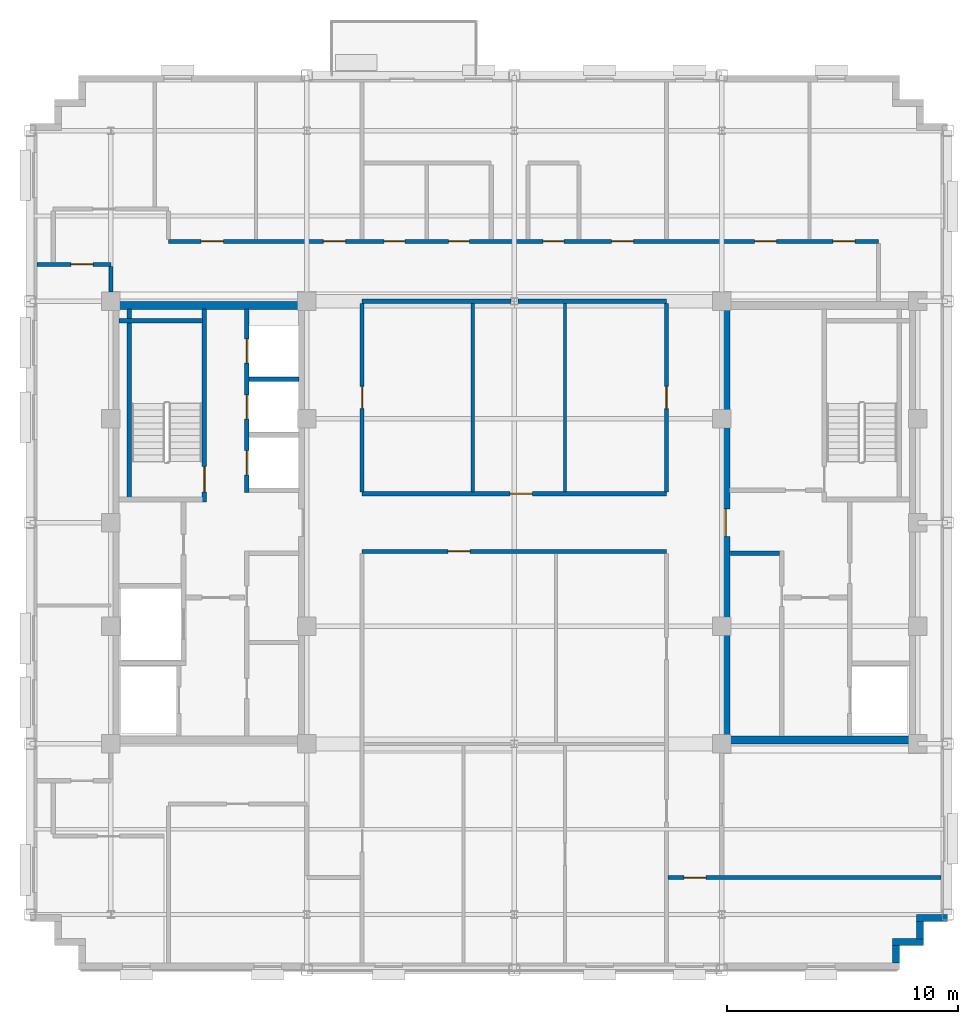
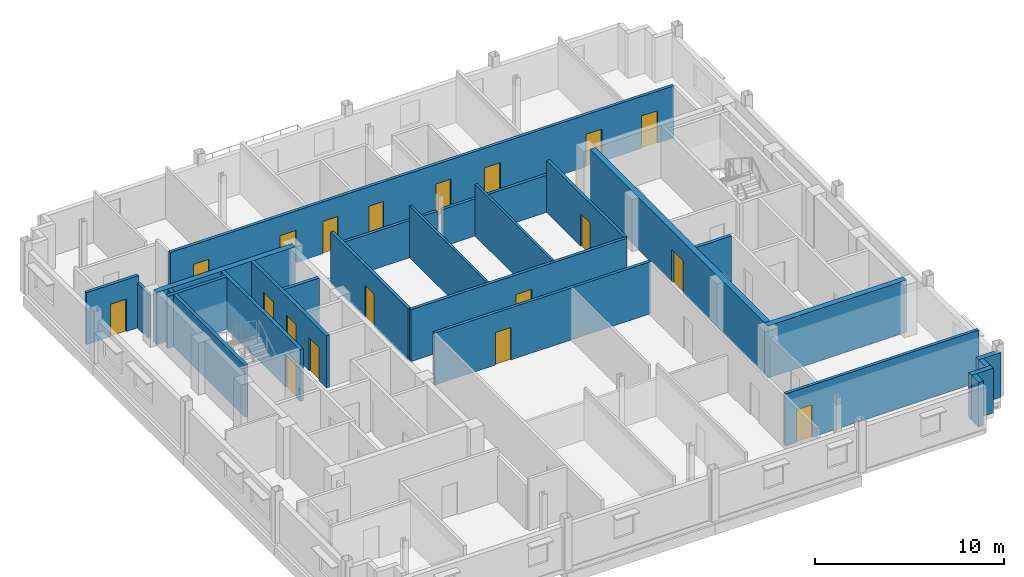
# One storey, part 7 of 14: 25 walls, 19 doors, 19 openings.
"""IFC4 building model written with IfcOpenShell, lengths in metres."""

from ifc_helpers import new_model, si_unit, direction, frame, frame_2d, origin, place, context, subcontext, project, spatial, rectangle, extrude, source, transform, mapped, material, layer, layer_set, type_object, type_shapes, element, fill, save


model = new_model("IFC4")

# Units and contexts
model_context = context("Model", 3, precision=1e-05, world=origin(), true_north=direction((0.0, 1.0)))
body_context = subcontext(model_context, "Body", "Model", "MODEL_VIEW")
ifc_project = project(units=[si_unit("LENGTHUNIT", "METRE"), si_unit("AREAUNIT", "SQUARE_METRE"), si_unit("VOLUMEUNIT", "CUBIC_METRE"), si_unit("PLANEANGLEUNIT", "RADIAN"), si_unit("MASSUNIT", "GRAM", prefix="KILO")], contexts=[model_context])

# Site, building, storey
site_placement = place(None, origin())
site = spatial("IfcSite", under=ifc_project, at=site_placement, CompositionType="ELEMENT")
building_placement = place(site_placement, origin())
building = spatial("IfcBuilding", under=site, at=building_placement, Name="Nuvemarco Arch Tower", CompositionType="ELEMENT")
storey_placement = place(building_placement, frame((0.0, 0.0, 272.550048828125)))
storey = spatial("IfcBuildingStorey", under=building, at=storey_placement, Name="L72", CompositionType="ELEMENT", Elevation=272.550048828125)

# Walls
ifc_material_1 = material(Name="Precast concrete C45/55", Category="concrete")
ifc_layer_1 = layer(ifc_material_1, 0.300048828125, Name="EW-HIGH-300")
ifc_layer_set_1 = layer_set([ifc_layer_1], Name="Precast concrete C45/55")
wall_type_1 = type_object("IfcWallType", Name="EW-HIGH-300", PredefinedType="STANDARD", material=ifc_layer_set_1)
wall_1_placement = place(storey_placement, frame((16.550048828125, -19.10400390625, 0.0), z_axis=(0.0, 0.0, 1.0), x_axis=(0.0, 1.0, 0.0)))
element("IfcWall", 1, at=wall_1_placement, inside=storey, type_object=wall_type_1, Name="L72 exterior precast facade wall 2", PredefinedType="STANDARD", context=body_context, shape_type="SweptSolid", body=[
    extrude(rectangle(XDim=0.758056640625, YDim=0.300048828125, at=frame_2d((0.37890625, 0.0))), origin(), (0.0, 0.0, 1.0), 2.891845703125),
])
wall_2_placement = place(storey_placement, frame((16.39990234375, -18.199951171875, 0.0), z_axis=(0.0, 0.0, 1.0), x_axis=(1.0, 0.0, 0.0)))
element("IfcWall", 2, at=wall_2_placement, inside=storey, type_object=wall_type_1, Name="L72 exterior precast facade wall 3", PredefinedType="STANDARD", context=body_context, shape_type="SweptSolid", body=[
    extrude(rectangle(XDim=1.35009765625, YDim=0.300048828125, at=frame_2d((0.675048828125, 0.0))), origin(), (0.0, 0.0, 1.0), 2.891845703125),
])
wall_3_placement = place(storey_placement, frame((17.60009765625, -18.053955078125, 0.0), z_axis=(0.0, 0.0, 1.0), x_axis=(0.0, 1.0, 0.0)))
element("IfcWall", 3, at=wall_3_placement, inside=storey, type_object=wall_type_1, Name="L72 exterior precast facade wall 4", PredefinedType="STANDARD", context=body_context, shape_type="SweptSolid", body=[
    extrude(rectangle(XDim=0.758056640625, YDim=0.300048828125, at=frame_2d((0.37890625, 0.0))), origin(), (0.0, 0.0, 1.0), 2.891845703125),
])
wall_4_placement = place(storey_placement, frame((17.449951171875, -17.14990234375, 0.0), z_axis=(0.0, 0.0, 1.0), x_axis=(1.0, 0.0, 0.0)))
element("IfcWall", 4, at=wall_4_placement, inside=storey, type_object=wall_type_1, Name="L72 exterior precast facade wall 5", PredefinedType="STANDARD", context=body_context, shape_type="SweptSolid", body=[
    extrude(rectangle(XDim=1.35009765625, YDim=0.300048828125, at=frame_2d((0.675048828125, 0.0))), origin(), (0.0, 0.0, 1.0), 2.891845703125),
])
ifc_material_2 = material(Name="Concrete C50/60", Category="concrete")
ifc_layer_2 = layer(ifc_material_2, 0.35009765625, Name="WL-CORE-350")
ifc_layer_set_2 = layer_set([ifc_layer_2], Name="Concrete C50/60")
wall_type_2 = type_object("IfcWallType", Name="WL-CORE-350", PredefinedType="SHEAR", material=ifc_layer_set_2)
for number, where, z_axis, x_axis, name in (
    (5, (-17.5, 9.425048828125, 0.0), (0.0, 0.0, 1.0), (1.0, 0.0, 0.0), "L72 W-core shear wall N"),
    (6, (9.0, -9.425048828125, 0.0), (0.0, 0.0, 1.0), (1.0, 0.0, 0.0), "L72 E-core shear wall S"),
):
    element("IfcWall", number, at=place(storey_placement, frame(where, z_axis=z_axis, x_axis=x_axis)), inside=storey, type_object=wall_type_2, Name=name, PredefinedType="SHEAR", context=body_context, shape_type="SweptSolid", body=[
        extrude(rectangle(XDim=8.5, YDim=0.35009765625, at=frame_2d((4.25, 0.0))), origin(), (0.0, 0.0, 1.0), 3.369873046875),
    ])

# Wall, opening, door
wall_5_placement = place(storey_placement, frame((9.175048828125, -9.2548828125, 0.0), z_axis=(0.0, 0.0, 1.0), x_axis=(0.0, 1.0, 0.0)))
wall_5 = element("IfcWall", 7, at=wall_5_placement, inside=storey, type_object=wall_type_2, Name="L72 E-core shear wall W", PredefinedType="SHEAR", context=body_context, shape_type="SweptSolid", body=[
    extrude(rectangle(XDim=18.509765625, YDim=0.35009765625, at=frame_2d((9.2548828125, 0.0))), origin(), (0.0, 0.0, 1.0), 3.369873046875),
])
opening_1_placement = place(wall_5_placement, frame((8.655029296875, 0.0, 0.0)))
opening_1 = element("IfcOpeningElement", 8, at=opening_1_placement, cuts=wall_5, Name="Opening FD-2", PredefinedType="OPENING", context=body_context, shape_type="SweptSolid", body=[
    extrude(rectangle(XDim=1.199951171875, YDim=2.14990234375, at=frame_2d((0.60009765625, 1.074951171875))), frame((0.0, 0.18505859375, 0.0), z_axis=(0.0, -1.0, 0.0), x_axis=(1.0, 0.0, 0.0)), (0.0, 0.0, 1.0), 0.3701171875),
])
ifc_material_3 = material(Name="Anodised steel fire door", Category="steel")
door_type_1 = type_object("IfcDoorType", Name="DR-FFLOB-FD", OperationType="NOTDEFINED", PredefinedType="DOOR", material=ifc_material_3)
shared_shape_1 = source(origin(), body_context, "Body", "SweptSolid", [
    extrude(rectangle(XDim=1.199951171875, YDim=2.14990234375, at=frame_2d((0.60009765625, 1.074951171875))), frame((0.0, 0.02490234375, 0.0), z_axis=(0.0, -1.0, 0.0), x_axis=(1.0, 0.0, 0.0)), (0.0, 0.0, 1.0), 0.050048828125),
])
type_shapes(door_type_1, [shared_shape_1])
door_1_placement = place(opening_1_placement, origin())
door_1 = element("IfcDoor", 9, at=door_1_placement, inside=storey, type_object=door_type_1, Name="L72 door FD-L72-ECORE-W", OperationType="SINGLE_SWING_LEFT", OverallHeight=2.14990234375, OverallWidth=1.199951171875, PredefinedType="DOOR", context=body_context, shape_type="MappedRepresentation", body=[
    mapped(shared_shape_1, transform((0.0, 0.0, 0.0), scale=1.0)),
])
fill(opening_1, door_1)

ifc_material_4 = material(Name="Fire-rated gypsum drywall partition")
ifc_layer_3 = layer(ifc_material_4, 0.179931640625, Name="WL-CORR-180")
ifc_layer_set_3 = layer_set([ifc_layer_3], Name="Fire-rated gypsum drywall partition")
wall_type_3 = type_object("IfcWallType", Name="WL-CORR-180", PredefinedType="PARTITIONING", material=ifc_layer_set_3)
wall_6_placement = place(storey_placement, frame((6.660888671875, -15.39990234375, 0.0), z_axis=(0.0, 0.0, 1.0), x_axis=(1.0, 0.0, 0.0)))
wall_6 = element("IfcWall", 10, at=wall_6_placement, inside=storey, type_object=wall_type_3, Name="L72 interior wall IW-L72-002", PredefinedType="PARTITIONING", context=body_context, shape_type="SweptSolid", body=[
    extrude(rectangle(XDim=11.839111328125, YDim=0.179931640625, at=frame_2d((5.91943359375, 0.0))), origin(), (0.0, 0.0, 1.0), 3.35986328125),
])
opening_2_placement = place(wall_6_placement, frame((0.689453125, 0.0, 0.0)))
opening_2 = element("IfcOpeningElement", 11, at=opening_2_placement, cuts=wall_6, Name="Opening FD-5", PredefinedType="OPENING", context=body_context, shape_type="SweptSolid", body=[
    extrude(rectangle(XDim=0.9599609375, YDim=2.10009765625, at=frame_2d((0.47998046875, 1.050048828125))), frame((0.0, 0.099853515625, 0.0), z_axis=(0.0, -1.0, 0.0), x_axis=(1.0, 0.0, 0.0)), (0.0, 0.0, 1.0), 0.199951171875),
])
ifc_material_5 = material(Name="Timber fire door", Category="wood")
door_type_2 = type_object("IfcDoorType", Name="DR-CORR-FD", OperationType="NOTDEFINED", PredefinedType="DOOR", material=ifc_material_5)
shared_shape_2 = source(origin(), body_context, "Body", "SweptSolid", [
    extrude(rectangle(XDim=0.9599609375, YDim=2.10009765625, at=frame_2d((0.47998046875, 1.050048828125))), frame((0.0, 0.02490234375, 0.0), z_axis=(0.0, -1.0, 0.0), x_axis=(1.0, 0.0, 0.0)), (0.0, 0.0, 1.0), 0.050048828125),
])
type_shapes(door_type_2, [shared_shape_2])
door_2_placement = place(opening_2_placement, origin())
door_2 = element("IfcDoor", 12, at=door_2_placement, inside=storey, type_object=door_type_2, Name="L72 door DR-L72-S_7", OperationType="SINGLE_SWING_LEFT", OverallHeight=2.10009765625, OverallWidth=0.9599609375, PredefinedType="DOOR", context=body_context, shape_type="MappedRepresentation", body=[
    mapped(shared_shape_2, transform((0.0, 0.0, 0.0), scale=1.0)),
])
fill(opening_2, door_2)

wall_7_placement = place(storey_placement, frame((-6.60009765625, -1.25, 0.0), z_axis=(0.0, 0.0, 1.0), x_axis=(1.0, 0.0, 0.0)))
wall_7 = element("IfcWall", 13, at=wall_7_placement, inside=storey, type_object=wall_type_3, Name="L72 interior wall IW-L72-009", PredefinedType="PARTITIONING", context=body_context, shape_type="SweptSolid", body=[
    extrude(rectangle(XDim=13.2001953125, YDim=0.179931640625, at=frame_2d((6.60009765625, 0.0))), origin(), (0.0, 0.0, 1.0), 3.35986328125),
])
opening_3_placement = place(wall_7_placement, frame((3.719970703125, 0.0, 0.0)))
opening_3 = element("IfcOpeningElement", 14, at=opening_3_placement, cuts=wall_7, Name="Opening FD-5", PredefinedType="OPENING", context=body_context, shape_type="SweptSolid", body=[
    extrude(rectangle(XDim=0.9599609375, YDim=2.10009765625, at=frame_2d((0.47998046875, 1.050048828125))), frame((0.0, 0.099853515625, 0.0), z_axis=(0.0, -1.0, 0.0), x_axis=(1.0, 0.0, 0.0)), (0.0, 0.0, 1.0), 0.199951171875),
])
door_3_placement = place(opening_3_placement, origin())
door_3 = element("IfcDoor", 15, at=door_3_placement, inside=storey, type_object=door_type_2, Name="L72 door DR-L72-C_S1", OperationType="SINGLE_SWING_LEFT", OverallHeight=2.10009765625, OverallWidth=0.9599609375, PredefinedType="DOOR", context=body_context, shape_type="MappedRepresentation", body=[
    mapped(shared_shape_2, transform((0.0, 0.0, 0.0), scale=1.0)),
])
fill(opening_3, door_3)

wall_8_placement = place(storey_placement, frame((-6.60009765625, 1.25, 0.0), z_axis=(0.0, 0.0, 1.0), x_axis=(1.0, 0.0, 0.0)))
wall_8 = element("IfcWall", 16, at=wall_8_placement, inside=storey, type_object=wall_type_3, Name="L72 interior wall IW-L72-010", PredefinedType="PARTITIONING", context=body_context, shape_type="SweptSolid", body=[
    extrude(rectangle(XDim=13.2001953125, YDim=0.179931640625, at=frame_2d((6.60009765625, 0.0))), origin(), (0.0, 0.0, 1.0), 3.35986328125),
])
opening_4_placement = place(wall_8_placement, frame((6.419921875, 0.0, 0.0)))
opening_4 = element("IfcOpeningElement", 17, at=opening_4_placement, cuts=wall_8, Name="Opening FD-5", PredefinedType="OPENING", context=body_context, shape_type="SweptSolid", body=[
    extrude(rectangle(XDim=0.9599609375, YDim=2.10009765625, at=frame_2d((0.47998046875, 1.050048828125))), frame((0.0, 0.099853515625, 0.0), z_axis=(0.0, -1.0, 0.0), x_axis=(1.0, 0.0, 0.0)), (0.0, 0.0, 1.0), 0.199951171875),
])
door_4_placement = place(opening_4_placement, origin())
door_4 = element("IfcDoor", 18, at=door_4_placement, inside=storey, type_object=door_type_2, Name="L72 door DR-L72-C_N2", OperationType="SINGLE_SWING_RIGHT", OverallHeight=2.10009765625, OverallWidth=0.9599609375, PredefinedType="DOOR", context=body_context, shape_type="MappedRepresentation", body=[
    mapped(shared_shape_2, transform((0.0, 0.0, 0.0), scale=1.0)),
])
fill(opening_4, door_4)

# Walls
for number, where, z_axis, x_axis, name in (
    (19, (-6.60009765625, 9.60009765625, 0.0), (0.0, 0.0, 1.0), (1.0, 0.0, 0.0), "L72 interior wall IW-L72-011"),
    (20, (0.15087890625, 9.60009765625, 0.0), (0.0, 0.0, 1.0), (1.0, 0.0, 0.0), "L72 interior wall IW-L72-012"),
):
    element("IfcWall", number, at=place(storey_placement, frame(where, z_axis=z_axis, x_axis=x_axis)), inside=storey, type_object=wall_type_3, Name=name, PredefinedType="PARTITIONING", context=body_context, shape_type="SweptSolid", body=[
        extrude(rectangle(XDim=6.44921875, YDim=0.179931640625, at=frame_2d((3.224609375, 0.0))), origin(), (0.0, 0.0, 1.0), 2.405029296875),
    ])

# Wall, opening, door
wall_9_placement = place(storey_placement, frame((-20.699951171875, 11.199951171875, 0.0), z_axis=(0.0, 0.0, 1.0), x_axis=(1.0, 0.0, 0.0)))
wall_9 = element("IfcWall", 21, at=wall_9_placement, inside=storey, type_object=wall_type_3, Name="L72 interior wall IW-L72-013", PredefinedType="PARTITIONING", context=body_context, shape_type="SweptSolid", body=[
    extrude(rectangle(XDim=3.199951171875, YDim=0.179931640625, at=frame_2d((1.60009765625, 0.0))), origin(), (0.0, 0.0, 1.0), 3.35986328125),
])
opening_5_placement = place(wall_9_placement, frame((1.469970703125, 0.0, 0.0)))
opening_5 = element("IfcOpeningElement", 22, at=opening_5_placement, cuts=wall_9, Name="Opening FD-5", PredefinedType="OPENING", context=body_context, shape_type="SweptSolid", body=[
    extrude(rectangle(XDim=0.9599609375, YDim=2.10009765625, at=frame_2d((0.47998046875, 1.050048828125))), frame((0.0, 0.099853515625, 0.0), z_axis=(0.0, -1.0, 0.0), x_axis=(1.0, 0.0, 0.0)), (0.0, 0.0, 1.0), 0.199951171875),
])
door_5_placement = place(opening_5_placement, origin())
door_5 = element("IfcDoor", 23, at=door_5_placement, inside=storey, type_object=door_type_2, Name="L72 door DR-L72-W_2", OperationType="SINGLE_SWING_LEFT", OverallHeight=2.10009765625, OverallWidth=0.9599609375, PredefinedType="DOOR", context=body_context, shape_type="MappedRepresentation", body=[
    mapped(shared_shape_2, transform((0.0, 0.0, 0.0), scale=1.0)),
])
fill(opening_5, door_5)

# Wall, openings, doors
wall_10_placement = place(storey_placement, frame((-15.0, 12.199951171875, 0.0), z_axis=(0.0, 0.0, 1.0), x_axis=(1.0, 0.0, 0.0)))
wall_10 = element("IfcWall", 24, at=wall_10_placement, inside=storey, type_object=wall_type_3, Name="L72 interior wall IW-L72-014", PredefinedType="PARTITIONING", context=body_context, shape_type="SweptSolid", body=[
    extrude(rectangle(XDim=30.800048828125, YDim=0.179931640625, at=frame_2d((15.39990234375, 0.0))), origin(), (0.0, 0.0, 1.0), 3.35986328125),
])
opening_6_placement = place(wall_10_placement, frame((1.419921875, 0.0, 0.0)))
opening_6 = element("IfcOpeningElement", 25, at=opening_6_placement, cuts=wall_10, Name="Opening FD-5", PredefinedType="OPENING", context=body_context, shape_type="SweptSolid", body=[
    extrude(rectangle(XDim=0.9599609375, YDim=2.10009765625, at=frame_2d((0.47998046875, 1.050048828125))), frame((0.0, 0.099853515625, 0.0), z_axis=(0.0, -1.0, 0.0), x_axis=(1.0, 0.0, 0.0)), (0.0, 0.0, 1.0), 0.199951171875),
])
opening_7_placement = place(wall_10_placement, frame((25.419921875, 0.0, 0.0)))
opening_7 = element("IfcOpeningElement", 26, at=opening_7_placement, cuts=wall_10, Name="Opening FD-5", PredefinedType="OPENING", context=body_context, shape_type="SweptSolid", body=[
    extrude(rectangle(XDim=0.9599609375, YDim=2.10009765625, at=frame_2d((0.47998046875, 1.050048828125))), frame((0.0, 0.099853515625, 0.0), z_axis=(0.0, -1.0, 0.0), x_axis=(1.0, 0.0, 0.0)), (0.0, 0.0, 1.0), 0.199951171875),
])
opening_8_placement = place(wall_10_placement, frame((19.219970703125, 0.0, 0.0)))
opening_8 = element("IfcOpeningElement", 27, at=opening_8_placement, cuts=wall_10, Name="Opening FD-5", PredefinedType="OPENING", context=body_context, shape_type="SweptSolid", body=[
    extrude(rectangle(XDim=0.9599609375, YDim=2.10009765625, at=frame_2d((0.47998046875, 1.050048828125))), frame((0.0, 0.099853515625, 0.0), z_axis=(0.0, -1.0, 0.0), x_axis=(1.0, 0.0, 0.0)), (0.0, 0.0, 1.0), 0.199951171875),
])
opening_9_placement = place(wall_10_placement, frame((28.820068359375, 0.0, 0.0)))
opening_9 = element("IfcOpeningElement", 28, at=opening_9_placement, cuts=wall_10, Name="Opening FD-5", PredefinedType="OPENING", context=body_context, shape_type="SweptSolid", body=[
    extrude(rectangle(XDim=0.9599609375, YDim=2.10009765625, at=frame_2d((0.47998046875, 1.050048828125))), frame((0.0, 0.099853515625, 0.0), z_axis=(0.0, -1.0, 0.0), x_axis=(1.0, 0.0, 0.0)), (0.0, 0.0, 1.0), 0.199951171875),
])
opening_10_placement = place(wall_10_placement, frame((9.35009765625, 0.0, 0.0)))
opening_10 = element("IfcOpeningElement", 29, at=opening_10_placement, cuts=wall_10, Name="Opening ID-3", PredefinedType="OPENING", context=body_context, shape_type="SweptSolid", body=[
    extrude(rectangle(XDim=0.89990234375, YDim=2.10009765625, at=frame_2d((0.449951171875, 1.050048828125))), frame((0.0, 0.099853515625, 0.0), z_axis=(0.0, -1.0, 0.0), x_axis=(1.0, 0.0, 0.0)), (0.0, 0.0, 1.0), 0.199951171875),
])
opening_11_placement = place(wall_10_placement, frame((12.14990234375, 0.0, 0.0)))
opening_11 = element("IfcOpeningElement", 30, at=opening_11_placement, cuts=wall_10, Name="Opening ID-3", PredefinedType="OPENING", context=body_context, shape_type="SweptSolid", body=[
    extrude(rectangle(XDim=0.89990234375, YDim=2.10009765625, at=frame_2d((0.449951171875, 1.050048828125))), frame((0.0, 0.099853515625, 0.0), z_axis=(0.0, -1.0, 0.0), x_axis=(1.0, 0.0, 0.0)), (0.0, 0.0, 1.0), 0.199951171875),
])
opening_12_placement = place(wall_10_placement, frame((6.719970703125, 0.0, 0.0)))
opening_12 = element("IfcOpeningElement", 31, at=opening_12_placement, cuts=wall_10, Name="Opening FD-5", PredefinedType="OPENING", context=body_context, shape_type="SweptSolid", body=[
    extrude(rectangle(XDim=0.9599609375, YDim=2.10009765625, at=frame_2d((0.47998046875, 1.050048828125))), frame((0.0, 0.099853515625, 0.0), z_axis=(0.0, -1.0, 0.0), x_axis=(1.0, 0.0, 0.0)), (0.0, 0.0, 1.0), 0.199951171875),
])
opening_13_placement = place(wall_10_placement, frame((16.25, 0.0, 0.0)))
opening_13 = element("IfcOpeningElement", 32, at=opening_13_placement, cuts=wall_10, Name="Opening ID-3", PredefinedType="OPENING", context=body_context, shape_type="SweptSolid", body=[
    extrude(rectangle(XDim=0.89990234375, YDim=2.10009765625, at=frame_2d((0.449951171875, 1.050048828125))), frame((0.0, 0.099853515625, 0.0), z_axis=(0.0, -1.0, 0.0), x_axis=(1.0, 0.0, 0.0)), (0.0, 0.0, 1.0), 0.199951171875),
])
door_6_placement = place(opening_6_placement, origin())
door_6 = element("IfcDoor", 33, at=door_6_placement, inside=storey, type_object=door_type_2, Name="L72 door DR-L72-N_2", OperationType="SINGLE_SWING_LEFT", OverallHeight=2.10009765625, OverallWidth=0.9599609375, PredefinedType="DOOR", context=body_context, shape_type="MappedRepresentation", body=[
    mapped(shared_shape_2, transform((0.0, 0.0, 0.0), scale=1.0)),
])
fill(opening_6, door_6)
door_7_placement = place(opening_7_placement, origin())
door_7 = element("IfcDoor", 34, at=door_7_placement, inside=storey, type_object=door_type_2, Name="L72 door DR-L72-N_5", OperationType="SINGLE_SWING_RIGHT", OverallHeight=2.10009765625, OverallWidth=0.9599609375, PredefinedType="DOOR", context=body_context, shape_type="MappedRepresentation", body=[
    mapped(shared_shape_2, transform((0.0, 0.0, 0.0), scale=1.0)),
])
fill(opening_7, door_7)
door_8_placement = place(opening_8_placement, origin())
door_8 = element("IfcDoor", 35, at=door_8_placement, inside=storey, type_object=door_type_2, Name="L72 door DR-L72-N_4", OperationType="SINGLE_SWING_LEFT", OverallHeight=2.10009765625, OverallWidth=0.9599609375, PredefinedType="DOOR", context=body_context, shape_type="MappedRepresentation", body=[
    mapped(shared_shape_2, transform((0.0, 0.0, 0.0), scale=1.0)),
])
fill(opening_8, door_8)
door_9_placement = place(opening_9_placement, origin())
door_9 = element("IfcDoor", 36, at=door_9_placement, inside=storey, type_object=door_type_2, Name="L72 door DR-L72-N_6", OperationType="SINGLE_SWING_LEFT", OverallHeight=2.10009765625, OverallWidth=0.9599609375, PredefinedType="DOOR", context=body_context, shape_type="MappedRepresentation", body=[
    mapped(shared_shape_2, transform((0.0, 0.0, 0.0), scale=1.0)),
])
fill(opening_9, door_9)
door_10_placement = place(opening_12_placement, origin())
door_10 = element("IfcDoor", 37, at=door_10_placement, inside=storey, type_object=door_type_2, Name="L72 door DR-L72-N_3", OperationType="SINGLE_SWING_RIGHT", OverallHeight=2.10009765625, OverallWidth=0.9599609375, PredefinedType="DOOR", context=body_context, shape_type="MappedRepresentation", body=[
    mapped(shared_shape_2, transform((0.0, 0.0, 0.0), scale=1.0)),
])
fill(opening_12, door_10)
ifc_material_6 = material(Name="Veneered oak timber fire door", Category="wood")
door_type_3 = type_object("IfcDoorType", Name="DR-WC-ACC", OperationType="NOTDEFINED", PredefinedType="DOOR", material=ifc_material_6)
shared_shape_3 = source(origin(), body_context, "Body", "SweptSolid", [
    extrude(rectangle(XDim=0.89990234375, YDim=2.10009765625, at=frame_2d((0.449951171875, 1.050048828125))), frame((0.0, 0.02490234375, 0.0), z_axis=(0.0, -1.0, 0.0), x_axis=(1.0, 0.0, 0.0)), (0.0, 0.0, 1.0), 0.050048828125),
])
type_shapes(door_type_3, [shared_shape_3])
door_11_placement = place(opening_10_placement, origin())
door_11 = element("IfcDoor", 38, at=door_11_placement, inside=storey, type_object=door_type_3, Name="L72 door DR-L72-WC_M", OperationType="SINGLE_SWING_RIGHT", OverallHeight=2.10009765625, OverallWidth=0.89990234375, PredefinedType="DOOR", context=body_context, shape_type="MappedRepresentation", body=[
    mapped(shared_shape_3, transform((0.0, 0.0, 0.0), scale=1.0)),
])
fill(opening_10, door_11)
door_12_placement = place(opening_11_placement, origin())
door_12 = element("IfcDoor", 39, at=door_12_placement, inside=storey, type_object=door_type_3, Name="L72 door DR-L72-WC_F", OperationType="SINGLE_SWING_LEFT", OverallHeight=2.10009765625, OverallWidth=0.89990234375, PredefinedType="DOOR", context=body_context, shape_type="MappedRepresentation", body=[
    mapped(shared_shape_3, transform((0.0, 0.0, 0.0), scale=1.0)),
])
fill(opening_11, door_12)
door_13_placement = place(opening_13_placement, origin())
door_13 = element("IfcDoor", 40, at=door_13_placement, inside=storey, type_object=door_type_3, Name="L72 door DR-L72-WC_ACC", OperationType="SINGLE_SWING_RIGHT", OverallHeight=2.10009765625, OverallWidth=0.89990234375, PredefinedType="DOOR", context=body_context, shape_type="MappedRepresentation", body=[
    mapped(shared_shape_3, transform((0.0, 0.0, 0.0), scale=1.0)),
])
fill(opening_13, door_13)

# Wall
wall_11_placement = place(storey_placement, frame((-17.5, 9.99609375, 0.0), z_axis=(0.0, 0.0, 1.0), x_axis=(0.0, 1.0, 0.0)))
element("IfcWall", 41, at=wall_11_placement, inside=storey, type_object=wall_type_3, Name="L72 interior wall IW-L72-021", PredefinedType="PARTITIONING", context=body_context, shape_type="SweptSolid", body=[
    extrude(rectangle(XDim=1.117919921875, YDim=0.179931640625, at=frame_2d((0.55908203125, 0.0))), origin(), (0.0, 0.0, 1.0), 2.891845703125),
])

# Wall, opening, door
wall_12_placement = place(storey_placement, frame((-6.60009765625, 1.3359375, 0.0), z_axis=(0.0, 0.0, 1.0), x_axis=(0.0, 1.0, 0.0)))
wall_12 = element("IfcWall", 42, at=wall_12_placement, inside=storey, type_object=wall_type_3, Name="L72 interior wall IW-L72-028", PredefinedType="PARTITIONING", context=body_context, shape_type="SweptSolid", body=[
    extrude(rectangle(XDim=8.177978515625, YDim=0.179931640625, at=frame_2d((4.0888671875, 0.0))), origin(), (0.0, 0.0, 1.0), 3.35986328125),
])
opening_14_placement = place(wall_12_placement, frame((3.60888671875, 0.0, 0.0)))
opening_14 = element("IfcOpeningElement", 43, at=opening_14_placement, cuts=wall_12, Name="Opening FD-5", PredefinedType="OPENING", context=body_context, shape_type="SweptSolid", body=[
    extrude(rectangle(XDim=0.9599609375, YDim=2.10009765625, at=frame_2d((0.47998046875, 1.050048828125))), frame((0.0, 0.099853515625, 0.0), z_axis=(0.0, -1.0, 0.0), x_axis=(1.0, 0.0, 0.0)), (0.0, 0.0, 1.0), 0.199951171875),
])
door_14_placement = place(opening_14_placement, origin())
door_14 = element("IfcDoor", 44, at=door_14_placement, inside=storey, type_object=door_type_2, Name="L72 door DR-L72-C_N1", OperationType="SINGLE_SWING_LEFT", OverallHeight=2.10009765625, OverallWidth=0.9599609375, PredefinedType="DOOR", context=body_context, shape_type="MappedRepresentation", body=[
    mapped(shared_shape_2, transform((0.0, 0.0, 0.0), scale=1.0)),
])
fill(opening_14, door_14)

wall_13_placement = place(storey_placement, frame((6.60009765625, 1.3359375, 0.0), z_axis=(0.0, 0.0, 1.0), x_axis=(0.0, 1.0, 0.0)))
wall_13 = element("IfcWall", 45, at=wall_13_placement, inside=storey, type_object=wall_type_3, Name="L72 interior wall IW-L72-040", PredefinedType="PARTITIONING", context=body_context, shape_type="SweptSolid", body=[
    extrude(rectangle(XDim=8.177978515625, YDim=0.179931640625, at=frame_2d((4.0888671875, 0.0))), origin(), (0.0, 0.0, 1.0), 3.35986328125),
])
opening_15_placement = place(wall_13_placement, frame((3.60888671875, 0.0, 0.0)))
opening_15 = element("IfcOpeningElement", 46, at=opening_15_placement, cuts=wall_13, Name="Opening FD-5", PredefinedType="OPENING", context=body_context, shape_type="SweptSolid", body=[
    extrude(rectangle(XDim=0.9599609375, YDim=2.10009765625, at=frame_2d((0.47998046875, 1.050048828125))), frame((0.0, 0.099853515625, 0.0), z_axis=(0.0, -1.0, 0.0), x_axis=(1.0, 0.0, 0.0)), (0.0, 0.0, 1.0), 0.199951171875),
])
door_15_placement = place(opening_15_placement, origin())
door_15 = element("IfcDoor", 47, at=door_15_placement, inside=storey, type_object=door_type_2, Name="L72 door DR-L72-C_N3", OperationType="SINGLE_SWING_RIGHT", OverallHeight=2.10009765625, OverallWidth=0.9599609375, PredefinedType="DOOR", context=body_context, shape_type="MappedRepresentation", body=[
    mapped(shared_shape_2, transform((0.0, 0.0, 0.0), scale=1.0)),
])
fill(opening_15, door_15)

# Walls
ifc_material_7 = material(Name="Gypsum plasterboard partition")
ifc_layer_4 = layer(ifc_material_7, 0.139892578125, Name="WL-ROOM-140")
ifc_layer_set_4 = layer_set([ifc_layer_4], Name="Gypsum plasterboard partition")
wall_type_4 = type_object("IfcWallType", Name="WL-ROOM-140", PredefinedType="PARTITIONING", material=ifc_layer_set_4)
for number, where, z_axis, x_axis, name in (
    (48, (-1.800048828125, 1.3359375, 0.0), (0.0, 0.0, 1.0), (0.0, 1.0, 0.0), "L72 interior wall IW-L72-032"),
    (49, (2.199951171875, 1.3359375, 0.0), (0.0, 0.0, 1.0), (0.0, 1.0, 0.0), "L72 interior wall IW-L72-037"),
):
    element("IfcWall", number, at=place(storey_placement, frame(where, z_axis=z_axis, x_axis=x_axis)), inside=storey, type_object=wall_type_4, Name=name, PredefinedType="PARTITIONING", context=body_context, shape_type="SweptSolid", body=[
        extrude(rectangle(XDim=8.177978515625, YDim=0.139892578125, at=frame_2d((4.0888671875, 0.0))), origin(), (0.0, 0.0, 1.0), 3.35986328125),
    ])

# Wall, opening, door
ifc_layer_5 = layer(ifc_material_2, 0.199951171875, Name="WL-SHAFT-220")
ifc_layer_set_5 = layer_set([ifc_layer_5], Name="Concrete C50/60")
wall_type_5 = type_object("IfcWallType", Name="WL-SHAFT-220", PredefinedType="SHEAR", material=ifc_layer_set_5)
wall_14_placement = place(storey_placement, frame((-13.43994140625, 0.89990234375, 0.0), z_axis=(0.0, 0.0, 1.0), x_axis=(0.0, 1.0, 0.0)))
wall_14 = element("IfcWall", 50, at=wall_14_placement, inside=storey, type_object=wall_type_5, Name="L72 structural shaft wall SW-L72-W-ST1E", PredefinedType="SHEAR", context=body_context, shape_type="SweptSolid", body=[
    extrude(rectangle(XDim=8.35498046875, YDim=0.199951171875, at=frame_2d((4.177490234375, 0.0))), origin(), (0.0, 0.0, 1.0), 3.369873046875),
])
opening_16_placement = place(wall_14_placement, frame((1.530029296875, 0.0, 0.0), z_axis=(0.0, 0.0, 1.0), x_axis=(-1.0, 0.0, 0.0)))
opening_16 = element("IfcOpeningElement", 51, at=opening_16_placement, cuts=wall_14, Name="Opening FD-1", PredefinedType="OPENING", context=body_context, shape_type="SweptSolid", body=[
    extrude(rectangle(XDim=1.10009765625, YDim=2.14990234375, at=frame_2d((0.550048828125, 1.074951171875))), frame((0.0, 0.10986328125, 0.0), z_axis=(0.0, -1.0, 0.0), x_axis=(1.0, 0.0, 0.0)), (0.0, 0.0, 1.0), 0.219970703125),
])
door_type_4 = type_object("IfcDoorType", Name="DR-STAIR-FD", OperationType="NOTDEFINED", PredefinedType="DOOR", material=ifc_material_3)
shared_shape_4 = source(origin(), body_context, "Body", "SweptSolid", [
    extrude(rectangle(XDim=1.10009765625, YDim=2.14990234375, at=frame_2d((0.550048828125, 1.074951171875))), frame((0.0, 0.02490234375, 0.0), z_axis=(0.0, -1.0, 0.0), x_axis=(1.0, 0.0, 0.0)), (0.0, 0.0, 1.0), 0.050048828125),
])
type_shapes(door_type_4, [shared_shape_4])
door_16_placement = place(opening_16_placement, origin())
door_16 = element("IfcDoor", 52, at=door_16_placement, inside=storey, type_object=door_type_4, Name="L72 door FD-L72-ST1", OperationType="SINGLE_SWING_LEFT", OverallHeight=2.14990234375, OverallWidth=1.10009765625, PredefinedType="DOOR", context=body_context, shape_type="MappedRepresentation", body=[
    mapped(shared_shape_4, transform((0.0, 0.0, 0.0), scale=1.0)),
])
fill(opening_16, door_16)

# Walls
wall_15_placement = place(storey_placement, frame((-17.155029296875, 8.75, 0.0), z_axis=(0.0, 0.0, 1.0), x_axis=(1.0, 0.0, 0.0)))
element("IfcWall", 53, at=wall_15_placement, inside=storey, type_object=wall_type_5, Name="L72 structural shaft wall SW-L72-W-ST1N", PredefinedType="SHEAR", context=body_context, shape_type="SweptSolid", body=[
    extrude(rectangle(XDim=3.6201171875, YDim=0.199951171875, at=frame_2d((1.81005859375, 0.0))), origin(), (0.0, 0.0, 1.0), 3.369873046875),
])
wall_16_placement = place(storey_placement, frame((-16.699951171875, 1.094970703125, 0.0), z_axis=(0.0, 0.0, 1.0), x_axis=(0.0, 1.0, 0.0)))
element("IfcWall", 54, at=wall_16_placement, inside=storey, type_object=wall_type_5, Name="L72 structural shaft wall SW-L72-W-ST1W", PredefinedType="SHEAR", context=body_context, shape_type="SweptSolid", body=[
    extrude(rectangle(XDim=8.159912109375, YDim=0.199951171875, at=frame_2d((4.080078125, 0.0))), origin(), (0.0, 0.0, 1.0), 3.369873046875),
])

# Wall, openings, doors
wall_17_placement = place(storey_placement, frame((-11.60009765625, 1.300048828125, 0.0), z_axis=(0.0, 0.0, 1.0), x_axis=(0.0, 1.0, 0.0)))
wall_17 = element("IfcWall", 55, at=wall_17_placement, inside=storey, type_object=wall_type_5, Name="L72 structural shaft wall SW-L72-W-PHW", PredefinedType="SHEAR", context=body_context, shape_type="SweptSolid", body=[
    extrude(rectangle(XDim=7.954833984375, YDim=0.199951171875, at=frame_2d((3.9775390625, 0.0))), origin(), (0.0, 0.0, 1.0), 3.369873046875),
])
opening_17_placement = place(wall_17_placement, frame((0.77490234375, 0.0, 0.0)))
opening_17 = element("IfcOpeningElement", 56, at=opening_17_placement, cuts=wall_17, Name="Opening LD-1", PredefinedType="OPENING", context=body_context, shape_type="SweptSolid", body=[
    extrude(rectangle(XDim=1.050048828125, YDim=2.14990234375, at=frame_2d((0.52490234375, 1.074951171875))), frame((0.0, 0.10986328125, 0.0), z_axis=(0.0, -1.0, 0.0), x_axis=(1.0, 0.0, 0.0)), (0.0, 0.0, 1.0), 0.219970703125),
])
opening_18_placement = place(wall_17_placement, frame((3.195068359375, 0.0, 0.0)))
opening_18 = element("IfcOpeningElement", 57, at=opening_18_placement, cuts=wall_17, Name="Opening LD-1", PredefinedType="OPENING", context=body_context, shape_type="SweptSolid", body=[
    extrude(rectangle(XDim=1.050048828125, YDim=2.14990234375, at=frame_2d((0.52490234375, 1.074951171875))), frame((0.0, 0.10986328125, 0.0), z_axis=(0.0, -1.0, 0.0), x_axis=(1.0, 0.0, 0.0)), (0.0, 0.0, 1.0), 0.219970703125),
])
opening_19_placement = place(wall_17_placement, frame((5.614990234375, 0.0, 0.0)))
opening_19 = element("IfcOpeningElement", 58, at=opening_19_placement, cuts=wall_17, Name="Opening LD-1", PredefinedType="OPENING", context=body_context, shape_type="SweptSolid", body=[
    extrude(rectangle(XDim=1.050048828125, YDim=2.14990234375, at=frame_2d((0.52490234375, 1.074951171875))), frame((0.0, 0.10986328125, 0.0), z_axis=(0.0, -1.0, 0.0), x_axis=(1.0, 0.0, 0.0)), (0.0, 0.0, 1.0), 0.219970703125),
])
ifc_material_8 = material(Name="Stainless steel lift door", Category="steel")
door_type_5 = type_object("IfcDoorType", Name="DR-LIFT-PASS", OperationType="DOUBLE_DOOR_SLIDING", PredefinedType="DOOR", material=ifc_material_8)
shared_shape_5 = source(origin(), body_context, "Body", "SweptSolid", [
    extrude(rectangle(XDim=1.050048828125, YDim=2.14990234375, at=frame_2d((0.52490234375, 1.074951171875))), frame((0.0, 0.02490234375, 0.0), z_axis=(0.0, -1.0, 0.0), x_axis=(1.0, 0.0, 0.0)), (0.0, 0.0, 1.0), 0.050048828125),
])
type_shapes(door_type_5, [shared_shape_5])
door_17_placement = place(opening_17_placement, origin())
door_17 = element("IfcDoor", 59, at=door_17_placement, inside=storey, type_object=door_type_5, Name="L72 Lift landing sliding door PH-1", OperationType="DOUBLE_DOOR_SLIDING", OverallHeight=2.14990234375, OverallWidth=1.050048828125, PredefinedType="DOOR", context=body_context, shape_type="MappedRepresentation", body=[
    mapped(shared_shape_5, transform((0.0, 0.0, 0.0), scale=1.0)),
])
fill(opening_17, door_17)
door_18_placement = place(opening_18_placement, origin())
door_18 = element("IfcDoor", 60, at=door_18_placement, inside=storey, type_object=door_type_5, Name="L72 Lift landing sliding door PH-2", OperationType="DOUBLE_DOOR_SLIDING", OverallHeight=2.14990234375, OverallWidth=1.050048828125, PredefinedType="DOOR", context=body_context, shape_type="MappedRepresentation", body=[
    mapped(shared_shape_5, transform((0.0, 0.0, 0.0), scale=1.0)),
])
fill(opening_18, door_18)
door_19_placement = place(opening_19_placement, origin())
door_19 = element("IfcDoor", 61, at=door_19_placement, inside=storey, type_object=door_type_5, Name="L72 Lift landing sliding door PH-3", OperationType="DOUBLE_DOOR_SLIDING", OverallHeight=2.14990234375, OverallWidth=1.050048828125, PredefinedType="DOOR", context=body_context, shape_type="MappedRepresentation", body=[
    mapped(shared_shape_5, transform((0.0, 0.0, 0.0), scale=1.0)),
])
fill(opening_19, door_19)

# Walls
for number, where, z_axis, x_axis, name in (
    (62, (-11.5048828125, 6.219970703125, 0.0), (0.0, 0.0, 1.0), (1.0, 0.0, 0.0), "L72 structural shaft wall SW-L72-W-PHD3"),
    (63, (9.344970703125, -1.330078125, 0.0), (0.0, 0.0, 1.0), (1.0, 0.0, 0.0), "L72 structural shaft wall SW-L72-E-PMTOP"),
):
    element("IfcWall", number, at=place(storey_placement, frame(where, z_axis=z_axis, x_axis=x_axis)), inside=storey, type_object=wall_type_5, Name=name, PredefinedType="SHEAR", context=body_context, shape_type="SweptSolid", body=[
        extrude(rectangle(XDim=2.159912109375, YDim=0.199951171875, at=frame_2d((1.080078125, 0.0))), origin(), (0.0, 0.0, 1.0), 3.369873046875),
    ])

save(model, "model.ifc")
